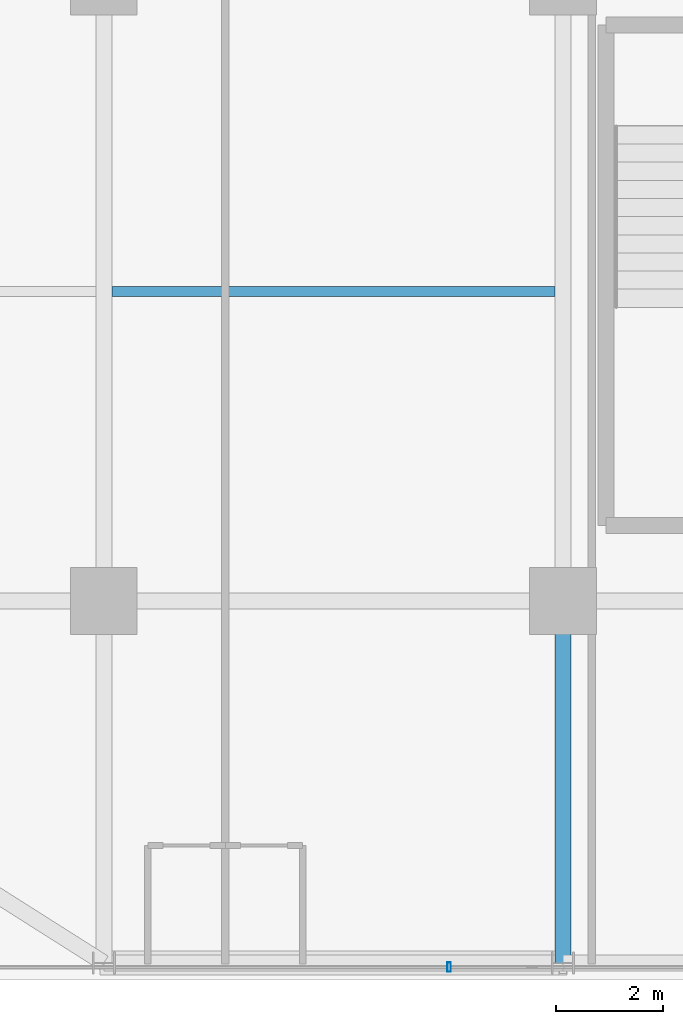
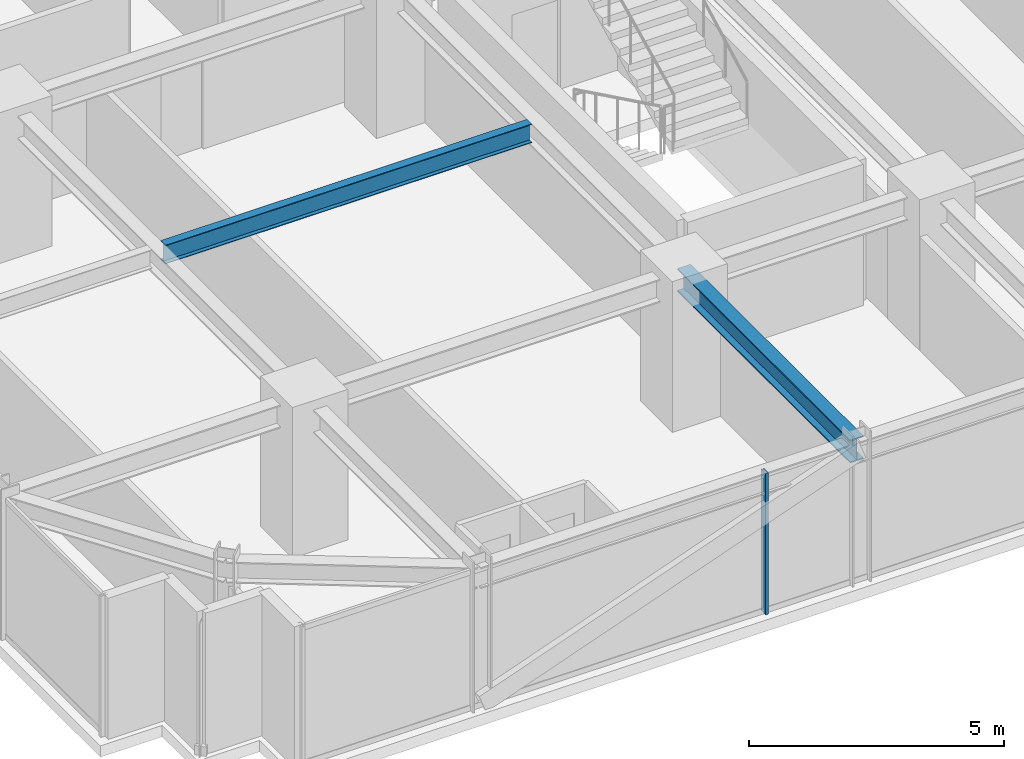
# One storey, part 5 of 40: 2 beams, 1 member, 1 element without a shape of its own.
"""IFC4 building model written with IfcOpenShell, lengths in metres."""

import ifcopenshell
import ifcopenshell.guid

model = None  # the IFC model being written
_history = None  # IfcOwnerHistory: only IFC2X3 demands one
_inside = {}  # id of a spatial element -> (the spatial element, [elements in it])
_under = {}  # id of a project, library or spatial element -> (it, [spatial elements below it])
_declared = {}  # id of a project -> (the project, [libraries it declares])
_typed = {}  # id of a type object -> (the type object, [elements of that type])
_made_of = {}  # id of a material, layer set ... -> (it, [elements and type objects made of it])


def new_model(schema):
    """Start an empty IFC model of exactly this schema.

    Asked for "IFC4X3", IfcOpenShell would pick the latest addendum, in which some entities
    have other attributes; the version numbers below select the first issue.
    IFC2X3 requires an IfcOwnerHistory on every rooted entity: one is made here for all.
    """
    global model, _history
    if schema == "IFC4X3":
        model = ifcopenshell.file(schema_version=(4, 3, 0, 0))
    else:
        model = ifcopenshell.file(schema=schema)
    _inside.clear()
    _under.clear()
    _declared.clear()
    _typed.clear()
    _made_of.clear()
    _history = None
    if model.schema == "IFC2X3":
        org = make("IfcOrganization", Name="unknown")
        user = make(
            "IfcPersonAndOrganization",
            ThePerson=make("IfcPerson", FamilyName="unknown"),
            TheOrganization=org,
        )
        app = make(
            "IfcApplication",
            ApplicationDeveloper=org,
            Version="unknown",
            ApplicationFullName="unknown",
            ApplicationIdentifier="unknown",
        )
        _history = make(
            "IfcOwnerHistory",
            OwningUser=user,
            OwningApplication=app,
            ChangeAction="ADDED",
            CreationDate=0,
        )
    return model


def make(cls, **values):
    """One entity of the class cls with the attributes given. An attribute that is None is left unset."""
    return model.create_entity(
        cls, **{name: value for name, value in values.items() if value is not None}
    )


def rooted(cls, **values):
    """An entity with a GlobalId (a new one), such as an element, a storey or a relation."""
    return make(cls, GlobalId=ifcopenshell.guid.new(), OwnerHistory=_history, **values)


def si_unit(unit_type, name, prefix=None):
    """IfcSIUnit, for example si_unit("LENGTHUNIT", "METRE", prefix="MILLI")."""
    return make("IfcSIUnit", UnitType=unit_type, Prefix=prefix, Name=name)


def assignment(units):
    """IfcUnitAssignment: the units of a project."""
    return None if units is None else make("IfcUnitAssignment", Units=units)


def point(xyz):
    """IfcCartesianPoint."""
    return None if xyz is None else make("IfcCartesianPoint", Coordinates=xyz)


def direction(xyz):
    """IfcDirection."""
    return None if xyz is None else make("IfcDirection", DirectionRatios=xyz)


def frame(location, z_axis=None, x_axis=None):
    """IfcAxis2Placement3D, a coordinate frame: its origin and axes. An axis left out is left unset."""
    return make(
        "IfcAxis2Placement3D",
        Location=point(location),
        Axis=direction(z_axis),
        RefDirection=direction(x_axis),
    )


def frame_2d(location, x_axis=None):
    """IfcAxis2Placement2D, a coordinate frame in the plane: its origin and x axis."""
    return make(
        "IfcAxis2Placement2D", Location=point(location), RefDirection=direction(x_axis)
    )


def origin():
    """The frame at (0, 0, 0) with its axes left unset."""
    return frame((0.0, 0.0, 0.0))


def origin_2d():
    """The frame at (0, 0) in the plane with its x axis left unset."""
    return frame_2d((0.0, 0.0))


def place(relative_to, where):
    """IfcLocalPlacement: puts the frame where relative to a parent placement (None: the world)."""
    return make(
        "IfcLocalPlacement", PlacementRelTo=relative_to, RelativePlacement=where
    )


def context(
    kind, dimensions, precision=None, world=None, true_north=None, identifier=None
):
    """IfcGeometricRepresentationContext, for example the 3D "Model" context."""
    return make(
        "IfcGeometricRepresentationContext",
        ContextIdentifier=identifier,
        ContextType=kind,
        CoordinateSpaceDimension=dimensions,
        Precision=precision,
        WorldCoordinateSystem=world,
        TrueNorth=true_north,
    )


def subcontext(parent, identifier, kind, view, scale=None):
    """IfcGeometricRepresentationSubContext, for example "Body" below "Model"."""
    return make(
        "IfcGeometricRepresentationSubContext",
        ContextIdentifier=identifier,
        ContextType=kind,
        ParentContext=parent,
        TargetScale=scale,
        TargetView=view,
    )


def project(units=None, contexts=None):
    """IfcProject with its units and contexts."""
    return rooted(
        "IfcProject",
        Name="project",
        RepresentationContexts=contexts,
        UnitsInContext=assignment(units),
    )


def spatial(cls, under=None, at=None, **own):
    """A site, building, storey or space (cls), placed at a placement, below another one or the project."""
    s = rooted(cls, ObjectPlacement=at, **own)
    if under is not None:
        _under.setdefault(under.id(), (under, []))[1].append(s)
    return s


def profile(cls, at=None, kind="AREA", **sizes):
    """A parametric profile (cls). Its sizes go by their IFC names, for example OverallWidth=200.0."""
    return make(cls, ProfileType=kind, Position=at, **sizes)


def hollow_rectangle(**sizes):
    """IfcRectangleHollowProfileDef."""
    return profile("IfcRectangleHollowProfileDef", **sizes)


def i_section(**sizes):
    """IfcIShapeProfileDef."""
    return profile("IfcIShapeProfileDef", **sizes)


def extrude(swept, where, along, depth):
    """IfcExtrudedAreaSolid: the profile swept, set in the frame where, extruded along a direction by depth."""
    return make(
        "IfcExtrudedAreaSolid",
        SweptArea=swept,
        Position=where,
        ExtrudedDirection=direction(along),
        Depth=depth,
    )


def shape(context_of_items, identifier, shape_type, items):
    """IfcShapeRepresentation: the items that make up one representation, for example the "Body"."""
    return make(
        "IfcShapeRepresentation",
        ContextOfItems=context_of_items,
        RepresentationIdentifier=identifier,
        RepresentationType=shape_type,
        Items=items,
    )


def source(mapping_origin, context_of_items, identifier, shape_type, items):
    """IfcRepresentationMap: a shape defined once, which mapped items show again and again."""
    return make(
        "IfcRepresentationMap",
        MappingOrigin=mapping_origin,
        MappedRepresentation=shape(context_of_items, identifier, shape_type, items),
    )


def transform(
    local_origin,
    x_axis=None,
    y_axis=None,
    z_axis=None,
    scale=None,
    scale2=None,
    scale3=None,
    uniform=True,
):
    """IfcCartesianTransformationOperator3D, or its non-uniform kind. x_axis, y_axis, z_axis: its Axis1, 2, 3."""
    if uniform:
        return make(
            "IfcCartesianTransformationOperator3D",
            Axis1=direction(x_axis),
            Axis2=direction(y_axis),
            LocalOrigin=point(local_origin),
            Scale=scale,
            Axis3=direction(z_axis),
        )
    return make(
        "IfcCartesianTransformationOperator3DnonUniform",
        Axis1=direction(x_axis),
        Axis2=direction(y_axis),
        LocalOrigin=point(local_origin),
        Scale=scale,
        Axis3=direction(z_axis),
        Scale2=scale2,
        Scale3=scale3,
    )


def mapped(mapping_source, mapping_target):
    """IfcMappedItem: shows the shape of a source again, moved by a transform."""
    return make(
        "IfcMappedItem", MappingSource=mapping_source, MappingTarget=mapping_target
    )


def material(Name=None, Category=None):
    """IfcMaterial."""
    return make("IfcMaterial", Name=Name, Category=Category)


def material_profile(
    of_material, cross_section, Name=None, Category=None, Priority=None
):
    """IfcMaterialProfile: a cross section and its material."""
    return make(
        "IfcMaterialProfile",
        Name=Name,
        Material=of_material,
        Profile=cross_section,
        Priority=Priority,
        Category=Category,
    )


def profile_set(profiles, Name=None, composite=None):
    """IfcMaterialProfileSet."""
    return make(
        "IfcMaterialProfileSet",
        Name=Name,
        MaterialProfiles=profiles,
        CompositeProfile=composite,
    )


def made_of(thing, what):
    """Note that an element or type object is made of a material, layer set ...; save() writes the relation."""
    if what is not None:
        _made_of.setdefault(what.id(), (what, []))[1].append(thing)
    return thing


def type_object(cls, material=None, **own):
    """A type object (cls), such as IfcWallType, which elements share."""
    return made_of(rooted(cls, **own), material)


def element(
    cls,
    number,
    at=None,
    inside=None,
    cuts=None,
    type_object=None,
    material=None,
    context=None,
    identifier="Body",
    shape_type=None,
    held_by="IfcProductDefinitionShape",
    body=None,
    shapes=None,
    **own,
):
    """One element of the class cls, such as IfcWall. Its Tag is "e" and its number.

    at: its placement. inside: the storey or other place that contains it. cuts: it is an
    opening in that element (IfcRelVoidsElement). A single representation is given by context,
    identifier, shape_type and body (its items); several are given by shapes. held_by: the class
    of the entity that holds the representations. save() writes the other relations.
    """
    e = rooted(cls, Tag="e%d" % number, ObjectPlacement=at, **own)
    if body is not None:
        shapes = [shape(context, identifier, shape_type, body)]
    if shapes is not None:
        e.Representation = make(held_by, Representations=shapes)
    if inside is not None:
        _inside.setdefault(inside.id(), (inside, []))[1].append(e)
    if cuts is not None:
        rooted(
            "IfcRelVoidsElement", RelatingBuildingElement=cuts, RelatedOpeningElement=e
        )
    if type_object is not None:
        _typed.setdefault(type_object.id(), (type_object, []))[1].append(e)
    return made_of(e, material)


def aggregate(whole, parts):
    """IfcRelAggregates: a whole, such as a stair, and the parts it consists of."""
    return rooted("IfcRelAggregates", RelatingObject=whole, RelatedObjects=parts)


def save(model, path):
    """Write the relations noted so far, then the file.

    IfcRelAggregates (storeys below a building ...), IfcRelContainedInSpatialStructure (elements
    in a storey), IfcRelDefinesByType, IfcRelAssociatesMaterial and IfcRelDeclares: one each for
    every whole, place, type object, material and project.
    """
    for whole, parts in _under.values():
        aggregate(whole, parts)
    for where, things in _inside.values():
        rooted(
            "IfcRelContainedInSpatialStructure",
            RelatedElements=things,
            RelatingStructure=where,
        )
    for kind, things in _typed.values():
        rooted("IfcRelDefinesByType", RelatedObjects=things, RelatingType=kind)
    for what, things in _made_of.values():
        rooted("IfcRelAssociatesMaterial", RelatedObjects=things, RelatingMaterial=what)
    for by, libraries in _declared.values():
        rooted("IfcRelDeclares", RelatingContext=by, RelatedDefinitions=libraries)
    model.write(path)


model = new_model("IFC4")

# Units and contexts
model_context = context("Model", 3, precision=1e-05, world=origin(), true_north=direction((0.0, 1.0)))
body_context = subcontext(model_context, "Body", "Model", "MODEL_VIEW")
ifc_project = project(units=[si_unit("LENGTHUNIT", "METRE"), si_unit("AREAUNIT", "SQUARE_METRE"), si_unit("VOLUMEUNIT", "CUBIC_METRE"), si_unit("PLANEANGLEUNIT", "RADIAN"), si_unit("MASSUNIT", "GRAM", prefix="KILO")], contexts=[model_context])

# Site, building, storey
site_placement = place(None, origin())
site = spatial("IfcSite", under=ifc_project, at=site_placement, CompositionType="ELEMENT")
building_placement = place(site_placement, origin())
building = spatial("IfcBuilding", under=site, at=building_placement, Name="Nahalor Promenade Grand Hotel", CompositionType="ELEMENT")
storey_placement = place(building_placement, frame((0.0, 0.0, 91.949951171875)))
storey = spatial("IfcBuildingStorey", under=building, at=storey_placement, Name="L22", CompositionType="ELEMENT", Elevation=91.949951171875)

# Beams
ifc_material_1 = material(Name="Steel S355JR", Category="steel")
ifc_material_profile_1 = material_profile(ifc_material_1, i_section(OverallWidth=0.3, OverallDepth=0.55, WebThickness=0.015, FlangeThickness=0.029, at=origin_2d()), Name="HEB 550")
ifc_profile_set_1 = profile_set([ifc_material_profile_1], Name="Steel S355JR")
beam_type_1 = type_object("IfcBeamType", Name="Beam-Girder-HEB550", PredefinedType="BEAM", material=ifc_profile_set_1)
shared_shape_1 = source(origin(), body_context, "Body", "SweptSolid", [
    extrude(i_section(OverallWidth=0.3, OverallDepth=0.55, WebThickness=0.015, FlangeThickness=0.029, at=origin_2d()), origin(), (0.0, 0.0, 1.0), 6.780029296875),
])
beam_1_placement = place(storey_placement, frame((-8.39990234375, -23.780029296875, 3.10498046875), z_axis=(0.0, 1.0, 0.0), x_axis=(-1.0, 0.0, 0.0)))
element("IfcBeam", 1, at=beam_1_placement, inside=storey, type_object=beam_type_1, Name="BM-L22-GY-1-0", PredefinedType="BEAM", context=body_context, shape_type="MappedRepresentation", body=[
    mapped(shared_shape_1, transform((0.0, 0.0, 0.0), scale=1.0)),
])
ifc_material_profile_2 = material_profile(ifc_material_1, i_section(OverallWidth=0.19, OverallDepth=0.45, WebThickness=0.0094, FlangeThickness=0.0146, at=origin_2d()), Name="IPE 450")
ifc_profile_set_2 = profile_set([ifc_material_profile_2], Name="Steel S355JR")
beam_type_2 = type_object("IfcBeamType", Name="Beam-Joist-IPE450", PredefinedType="JOIST", material=ifc_profile_set_2)
shared_shape_2 = source(origin(), body_context, "Body", "SweptSolid", [
    extrude(i_section(OverallWidth=0.19, OverallDepth=0.45, WebThickness=0.0094, FlangeThickness=0.0146, at=origin_2d()), origin(), (0.0, 0.0, 1.0), 8.300048828125),
])
beam_2_placement = place(storey_placement, frame((-16.85009765625, -11.199951171875, 3.155029296875), z_axis=(1.0, 0.0, 0.0), x_axis=(0.0, 1.0, 0.0)))
element("IfcBeam", 2, at=beam_2_placement, inside=storey, type_object=beam_type_2, Name="BM-L22-JSW-0-1", PredefinedType="JOIST", context=body_context, shape_type="MappedRepresentation", body=[
    mapped(shared_shape_2, transform((0.0, 0.0, 0.0), scale=1.0)),
])

# Curtain wall, member
ifc_material_2 = material(Name="Anodised Bronze Aluminium EN AW-6063 T6", Category="aluminium")
curtain_wall_type = type_object("IfcCurtainWallType", Name="CW2 Typical Hotel Flush Bronze Unitised Curtain Wall", PredefinedType="USERDEFINED", material=ifc_material_2)
curtain_wall_placement = place(storey_placement, origin())
curtain_wall = element("IfcCurtainWall", 3, at=curtain_wall_placement, inside=storey, type_object=curtain_wall_type, Name="L22 Curtain Wall CW-L22-S-1", ObjectType="UNITISED_CURTAIN_WALL", PredefinedType="USERDEFINED")
ifc_material_profile_3 = material_profile(ifc_material_2, hollow_rectangle(XDim=0.065, YDim=0.18, WallThickness=0.004, at=origin_2d()), Name="CWM 65x180x4")
ifc_profile_set_3 = profile_set([ifc_material_profile_3], Name="Anodised Bronze Aluminium EN AW-6063 T6")
member_type = type_object("IfcMemberType", Name="CWM2 Typical Bronze Mullion 65x180", PredefinedType="MULLION", material=ifc_profile_set_3)
shared_shape_3 = source(origin(), body_context, "Body", "SweptSolid", [
    extrude(hollow_rectangle(XDim=0.065, YDim=0.18, WallThickness=0.004, at=origin_2d()), origin(), (0.0, 0.0, 1.0), 3.380126953125),
])
member_placement = place(storey_placement, frame((-10.530029296875, -23.860107421875, 0.0), z_axis=(0.0, 0.0, 1.0), x_axis=(1.0, 0.0, 0.0)))
member = element("IfcMember", 4, at=member_placement, type_object=member_type, Name="CW-L22-S-1 Mullion 1", PredefinedType="MULLION", context=body_context, shape_type="MappedRepresentation", body=[
    mapped(shared_shape_3, transform((0.0, 0.0, 0.0), scale=1.0)),
])
aggregate(curtain_wall, [member])

save(model, "model.ifc")
